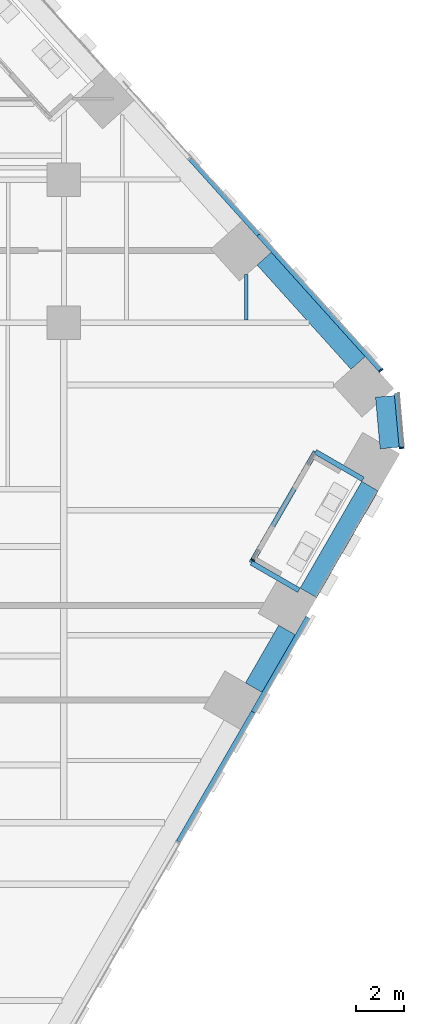
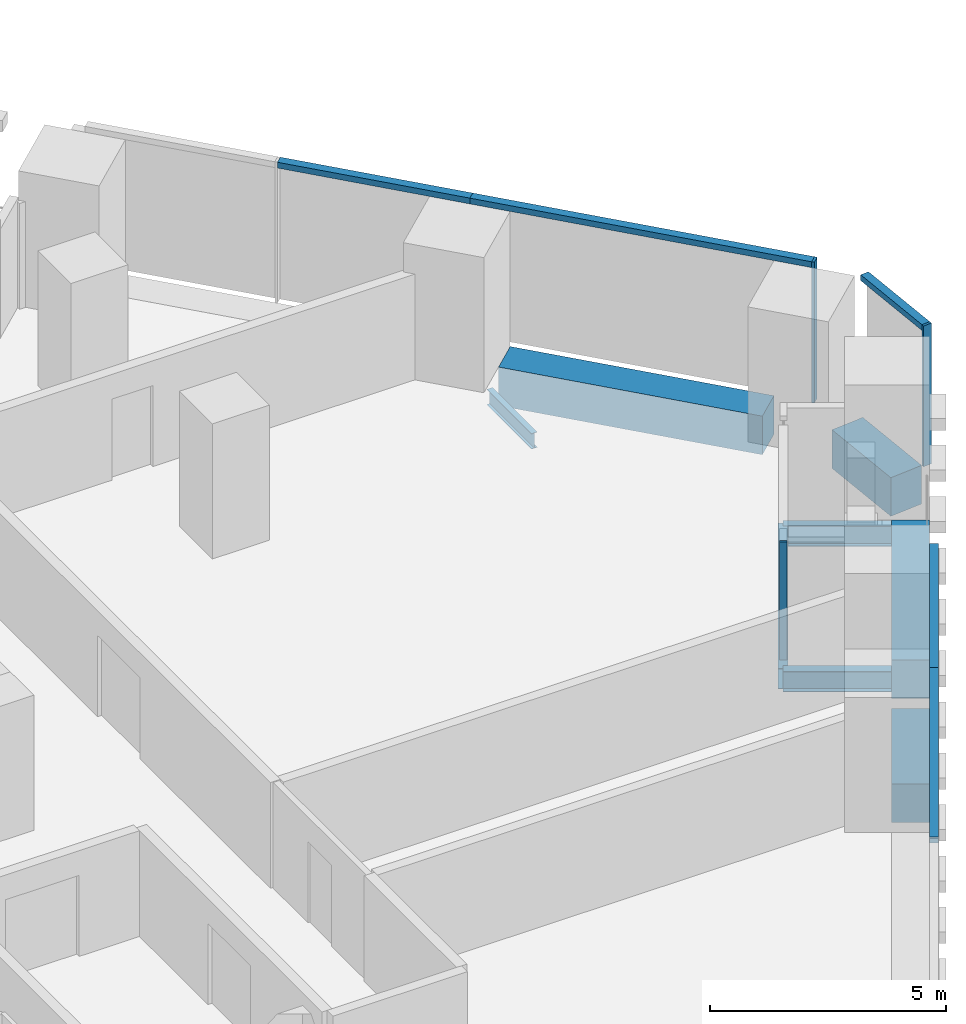
# One storey, part 12 of 31: 8 beams, 8 members, 4 elements without a shape of their own.
"""IFC4 building model written with IfcOpenShell, lengths in metres."""

from ifc_helpers import new_model, si_unit, direction, frame, origin, origin_2d, place, context, subcontext, project, spatial, rectangle, i_section, extrude, material, layer, layer_set, material_profile, profile_set, type_object, element, aggregate, save


model = new_model("IFC4")

# Units and contexts
model_context = context("Model", 3, precision=1e-05, world=origin(), true_north=direction((0.0, 1.0)))
body_context = subcontext(model_context, "Body", "Model", "MODEL_VIEW")
ifc_project = project(units=[si_unit("LENGTHUNIT", "METRE"), si_unit("AREAUNIT", "SQUARE_METRE"), si_unit("VOLUMEUNIT", "CUBIC_METRE"), si_unit("PLANEANGLEUNIT", "RADIAN"), si_unit("MASSUNIT", "GRAM", prefix="KILO")], contexts=[model_context])

# Site, building, storey
site_placement = place(None, origin())
site = spatial("IfcSite", under=ifc_project, at=site_placement, CompositionType="ELEMENT")
building_placement = place(site_placement, origin())
building = spatial("IfcBuilding", under=site, at=building_placement, Name="Isthmus Gate Tower", CompositionType="ELEMENT")
storey_placement = place(building_placement, frame((0.0, 0.0, 39.64990234375)))
storey = spatial("IfcBuildingStorey", under=building, at=storey_placement, Name="L07", CompositionType="ELEMENT", Elevation=39.64990234375)

# Curtain wall, member
ifc_material_1 = material(Name="Aluminium, pale champagne anodised", Category="aluminium")
ifc_layer_1 = layer(ifc_material_1, 0.199951171875)
ifc_layer_set_1 = layer_set([ifc_layer_1], Name="CW-1 UNITISED CURTAIN WALL 200 DEEP")
curtain_wall_type_1 = type_object("IfcCurtainWallType", Name="CW-1 UNITISED CURTAIN WALL 200 DEEP", PredefinedType="NOTDEFINED", material=ifc_layer_set_1)
curtain_wall_1_placement = place(storey_placement, origin())
curtain_wall_1 = element("IfcCurtainWall", 1, at=curtain_wall_1_placement, inside=storey, type_object=curtain_wall_type_1, Name="CW-1 SE-NE L07", PredefinedType="NOTDEFINED")
ifc_material_2 = material(Name="Aluminium, pale champagne anodised", Category="aluminium")
ifc_material_profile_1 = material_profile(ifc_material_2, rectangle(XDim=0.06005859375, YDim=0.199951171875, at=origin_2d()), Name="60x200")
ifc_profile_set_1 = profile_set([ifc_material_profile_1], Name="Aluminium, pale champagne anodised")
member_type_1 = type_object("IfcMemberType", Name="CW-1 MULLION 60 X 200", PredefinedType="MULLION", material=ifc_profile_set_1)
member_1_placement = place(storey_placement, frame((38.178955078125, 2.24169921875, 0.0), z_axis=(0.0, 0.0, 1.0), x_axis=(-0.089396669717, 0.995996102123, 0.0)))
member_1 = element("IfcMember", 2, at=member_1_placement, type_object=member_type_1, Name="CW-1 mullion", PredefinedType="MULLION", context=body_context, shape_type="SweptSolid", body=[
    extrude(rectangle(XDim=0.06005859375, YDim=0.199951171875, at=origin_2d()), origin(), (0.0, 0.0, 1.0), 3.650146484375),
])

curtain_wall_2_placement = place(storey_placement, origin())
curtain_wall_2 = element("IfcCurtainWall", 3, at=curtain_wall_2_placement, inside=storey, type_object=curtain_wall_type_1, Name="CW-1 NE L07", PredefinedType="NOTDEFINED")
member_2_placement = place(storey_placement, frame((37.306640625, 5.494384765625, 0.0), z_axis=(0.0, 0.0, 1.0), x_axis=(-0.669130606359, 0.743144825477, 0.0)))
member_2 = element("IfcMember", 4, at=member_2_placement, type_object=member_type_1, Name="CW-1 mullion", PredefinedType="MULLION", context=body_context, shape_type="SweptSolid", body=[
    extrude(rectangle(XDim=0.06005859375, YDim=0.199951171875, at=origin_2d()), origin(), (0.0, 0.0, 1.0), 3.650146484375),
])

# Curtain wall, members
curtain_wall_3_placement = place(storey_placement, origin())
curtain_wall_3 = element("IfcCurtainWall", 5, at=curtain_wall_3_placement, inside=storey, type_object=curtain_wall_type_1, Name="CW-1 SE L07", PredefinedType="NOTDEFINED")
ifc_material_3 = material(Name="Aluminium, pale champagne anodised", Category="aluminium")
ifc_material_profile_2 = material_profile(ifc_material_3, rectangle(XDim=0.199951171875, YDim=0.14990234375, at=origin_2d()), Name="200x150")
ifc_profile_set_2 = profile_set([ifc_material_profile_2], Name="Aluminium, pale champagne anodised")
member_type_2 = type_object("IfcMemberType", Name="CW-1 TRANSOM 200 X 150", PredefinedType="USERDEFINED", material=ifc_profile_set_2)
member_3_placement = place(storey_placement, frame((28.817138671875, -14.287353515625, 3.5751953125), z_axis=(0.499995104884, 0.866028229963, 0.0), x_axis=(-0.866028229963, 0.499995104884, 0.0)))
member_3 = element("IfcMember", 6, at=member_3_placement, type_object=member_type_2, Name="CW-1 transom", ObjectType="TRANSOM", PredefinedType="USERDEFINED", context=body_context, shape_type="SweptSolid", body=[
    extrude(rectangle(XDim=0.199951171875, YDim=0.14990234375, at=origin_2d()), origin(), (0.0, 0.0, 1.0), 6.2783203125),
])
member_4_placement = place(storey_placement, frame((31.956298828125, -8.85009765625, 3.5751953125), z_axis=(0.499992401796, 0.866029790565, 0.0), x_axis=(-0.866029790565, 0.499992401796, 0.0)))
member_4 = element("IfcMember", 7, at=member_4_placement, type_object=member_type_2, Name="CW-1 transom", ObjectType="TRANSOM", PredefinedType="USERDEFINED", context=body_context, shape_type="SweptSolid", body=[
    extrude(rectangle(XDim=0.199951171875, YDim=0.14990234375, at=origin_2d()), origin(), (0.0, 0.0, 1.0), 4.5927734375),
])
aggregate(curtain_wall_3, [member_3, member_4])

# Member
member_5_placement = place(storey_placement, frame((38.17626953125, 2.271728515625, 3.5751953125), z_axis=(-0.089395362867, 0.995996219419, 0.0), x_axis=(-0.995996219419, -0.089395362867, 0.0)))
member_5 = element("IfcMember", 8, at=member_5_placement, type_object=member_type_2, Name="CW-1 transom", ObjectType="TRANSOM", PredefinedType="USERDEFINED", context=body_context, shape_type="SweptSolid", body=[
    extrude(rectangle(XDim=0.199951171875, YDim=0.14990234375, at=origin_2d()), origin(), (0.0, 0.0, 1.0), 2.258544921875),
])

aggregate(curtain_wall_1, [member_1, member_5])

member_6_placement = place(storey_placement, frame((37.28662109375, 5.5166015625, 3.5751953125), z_axis=(-0.66912913739, 0.74314614814, 0.0), x_axis=(-0.74314614814, -0.66912913739, 0.0)))
member_6 = element("IfcMember", 9, at=member_6_placement, type_object=member_type_2, Name="CW-1 transom", ObjectType="TRANSOM", PredefinedType="USERDEFINED", context=body_context, shape_type="SweptSolid", body=[
    extrude(rectangle(XDim=0.199951171875, YDim=0.14990234375, at=origin_2d()), origin(), (0.0, 0.0, 1.0), 7.62939453125),
])

member_7_placement = place(storey_placement, frame((32.181640625, 11.186279296875, 3.5751953125), z_axis=(-0.669131169216, 0.743144318678, 0.0), x_axis=(-0.743144318678, -0.669131169216, 0.0)))
member_7 = element("IfcMember", 10, at=member_7_placement, type_object=member_type_2, Name="CW-1 transom", ObjectType="TRANSOM", PredefinedType="USERDEFINED", context=body_context, shape_type="SweptSolid", body=[
    extrude(rectangle(XDim=0.199951171875, YDim=0.14990234375, at=origin_2d()), origin(), (0.0, 0.0, 1.0), 4.294677734375),
])

aggregate(curtain_wall_2, [member_2, member_6, member_7])

# Curtain wall, member
ifc_material_4 = material(Name="Aluminium, pale champagne anodised", Category="aluminium")
ifc_layer_2 = layer(ifc_material_4, 0.14990234375)
ifc_layer_set_2 = layer_set([ifc_layer_2], Name="CW-6 LOGGIA BACK WALL GLAZING 150 DEEP")
curtain_wall_type_2 = type_object("IfcCurtainWallType", Name="CW-6 LOGGIA BACK WALL GLAZING 150 DEEP", PredefinedType="NOTDEFINED", material=ifc_layer_set_2)
curtain_wall_4_placement = place(storey_placement, origin())
curtain_wall_4 = element("IfcCurtainWall", 11, at=curtain_wall_4_placement, inside=storey, type_object=curtain_wall_type_2, Name="CW-6 SE L07", PredefinedType="NOTDEFINED")
ifc_material_5 = material(Name="Aluminium, pale champagne anodised", Category="aluminium")
ifc_material_profile_3 = material_profile(ifc_material_5, rectangle(XDim=0.06005859375, YDim=0.14990234375, at=origin_2d()), Name="60x150")
ifc_profile_set_3 = profile_set([ifc_material_profile_3], Name="Aluminium, pale champagne anodised")
member_type_3 = type_object("IfcMemberType", Name="CW-6 MULLION 60 X 150", PredefinedType="MULLION", material=ifc_profile_set_3)
member_8_placement = place(storey_placement, frame((31.946533203125, -2.467041015625, 0.0), z_axis=(0.0, 0.0, 1.0), x_axis=(0.5, 0.866025403784, 0.0)))
member_8 = element("IfcMember", 12, at=member_8_placement, type_object=member_type_3, Name="CW-6 mullion", PredefinedType="MULLION", context=body_context, shape_type="SweptSolid", body=[
    extrude(rectangle(XDim=0.06005859375, YDim=0.14990234375, at=origin_2d()), origin(), (0.0, 0.0, 1.0), 3.050048828125),
])
aggregate(curtain_wall_4, [member_8])

# Beams
ifc_material_6 = material(Name="Concrete f'c 70 MPa", Category="concrete")
ifc_material_profile_4 = material_profile(ifc_material_6, rectangle(XDim=0.800048828125, YDim=1.0, at=origin_2d()), Name="RC 800X1000")
ifc_profile_set_4 = profile_set([ifc_material_profile_4], Name="Concrete f'c 70 MPa")
beam_type_1 = type_object("IfcBeamType", Name="RC SPANDREL 800 X 1000", PredefinedType="SPANDREL", material=ifc_profile_set_4)
beam_1_placement = place(storey_placement, frame((32.412353515625, 10.182861328125, -0.5), z_axis=(0.669138782017, -0.743137464001, 0.0), x_axis=(0.743137464001, 0.669138782017, 0.0)))
element("IfcBeam", 13, at=beam_1_placement, inside=storey, type_object=beam_type_1, Name="str-spandrel-L07-04", PredefinedType="SPANDREL", context=body_context, shape_type="SweptSolid", body=[
    extrude(rectangle(XDim=0.800048828125, YDim=1.0, at=origin_2d()), origin(), (0.0, 0.0, 1.0), 5.88916015625),
])
beam_2_placement = place(storey_placement, frame((37.483154296875, 4.40185546875, -0.5), z_axis=(0.089421511639, -0.995993872098, 0.0), x_axis=(0.995993872098, 0.089421511639, 0.0)))
element("IfcBeam", 14, at=beam_2_placement, inside=storey, type_object=beam_type_1, Name="str-spandrel-L07-05", PredefinedType="SPANDREL", context=body_context, shape_type="SweptSolid", body=[
    extrude(rectangle(XDim=0.800048828125, YDim=1.0, at=origin_2d()), origin(), (0.0, 0.0, 1.0), 2.17333984375),
])
beam_3_placement = place(storey_placement, frame((36.8544921875, 0.6337890625, -0.5), z_axis=(-0.50000453793, -0.866022783793, 0.0), x_axis=(0.866022783793, -0.50000453793, 0.0)))
element("IfcBeam", 15, at=beam_3_placement, inside=storey, type_object=beam_type_1, Name="str-spandrel-L07-06", PredefinedType="SPANDREL", context=body_context, shape_type="SweptSolid", body=[
    extrude(rectangle(XDim=0.800048828125, YDim=1.0, at=origin_2d()), origin(), (0.0, 0.0, 1.0), 5.16943359375),
])
beam_4_placement = place(storey_placement, frame((33.369873046875, -5.40185546875, -0.5), z_axis=(-0.500012514453, -0.866018178441, 0.0), x_axis=(0.866018178441, -0.500012514453, 0.0)))
element("IfcBeam", 16, at=beam_4_placement, inside=storey, type_object=beam_type_1, Name="str-spandrel-L07-07", PredefinedType="SPANDREL", context=body_context, shape_type="SweptSolid", body=[
    extrude(rectangle(XDim=0.800048828125, YDim=1.0, at=origin_2d()), origin(), (0.0, 0.0, 1.0), 2.79296875),
])
ifc_material_7 = material(Name="Structural steel ASTM A992 Gr 50", Category="steel")
ifc_material_profile_5 = material_profile(ifc_material_7, i_section(OverallWidth=0.1396484375, OverallDepth=0.4033203125, WebThickness=0.00634765625, FlangeThickness=0.010986328125, at=origin_2d()), Name="W16X31")
ifc_profile_set_5 = profile_set([ifc_material_profile_5], Name="Structural steel ASTM A992 Gr 50")
beam_type_2 = type_object("IfcBeamType", Name="STEEL FLOOR BEAM W16X31", PredefinedType="JOIST", material=ifc_profile_set_5)
beam_5_placement = place(storey_placement, frame((31.666259765625, 7.6142578125, -0.3515625), z_axis=(0.0, 1.0, 0.0), x_axis=(-1.0, 0.0, 0.0)))
element("IfcBeam", 17, at=beam_5_placement, inside=storey, type_object=beam_type_2, Name="str-beam-L07-40-01", PredefinedType="JOIST", context=body_context, shape_type="SweptSolid", body=[
    extrude(i_section(OverallWidth=0.1396484375, OverallDepth=0.4033203125, WebThickness=0.00634765625, FlangeThickness=0.010986328125, at=origin_2d()), origin(), (0.0, 0.0, 1.0), 1.89697265625),
])
ifc_material_8 = material(Name="Structural steel ASTM A992 Gr 50", Category="steel")
ifc_material_profile_6 = material_profile(ifc_material_8, i_section(OverallWidth=0.20947265625, OverallDepth=0.533447265625, WebThickness=0.009521484375, FlangeThickness=0.015869140625, at=origin_2d()), Name="W21X62")
ifc_profile_set_6 = profile_set([ifc_material_profile_6], Name="Structural steel ASTM A992 Gr 50")
beam_type_3 = type_object("IfcBeamType", Name="STEEL TRIMMER W21X62", PredefinedType="BEAM", material=ifc_profile_set_6)
beam_6_placement = place(storey_placement, frame((31.875, -2.581298828125, -0.41650390625), z_axis=(0.500005339912, 0.866022320763, 0.0), x_axis=(-0.866022320763, 0.500005339912, 0.0)))
element("IfcBeam", 18, at=beam_6_placement, inside=storey, type_object=beam_type_3, Name="str-loggiatrim-L07-05-B", PredefinedType="BEAM", context=body_context, shape_type="SweptSolid", body=[
    extrude(i_section(OverallWidth=0.20947265625, OverallDepth=0.533447265625, WebThickness=0.009521484375, FlangeThickness=0.015869140625, at=origin_2d()), origin(), (0.0, 0.0, 1.0), 5.37890625),
])
for number, where, z_axis, x_axis, name in (
    (19, (33.87109375, -3.733642578125, -0.41650390625), (-0.866044474677, 0.49996696679, 0.0), (-0.49996696679, -0.866044474677, 0.0), "str-loggiatrim-L07-05-A"),
    (20, (36.560546875, 0.924560546875, -0.41650390625), (-0.866044474677, 0.49996696679, 0.0), (-0.49996696679, -0.866044474677, 0.0), "str-loggiatrim-L07-05-C"),
):
    element("IfcBeam", number, at=place(storey_placement, frame(where, z_axis=z_axis, x_axis=x_axis)), inside=storey, type_object=beam_type_3, Name=name, PredefinedType="BEAM", context=body_context, shape_type="SweptSolid", body=[
        extrude(i_section(OverallWidth=0.20947265625, OverallDepth=0.533447265625, WebThickness=0.009521484375, FlangeThickness=0.015869140625, at=origin_2d()), origin(), (0.0, 0.0, 1.0), 2.304931640625),
    ])

save(model, "model.ifc")
